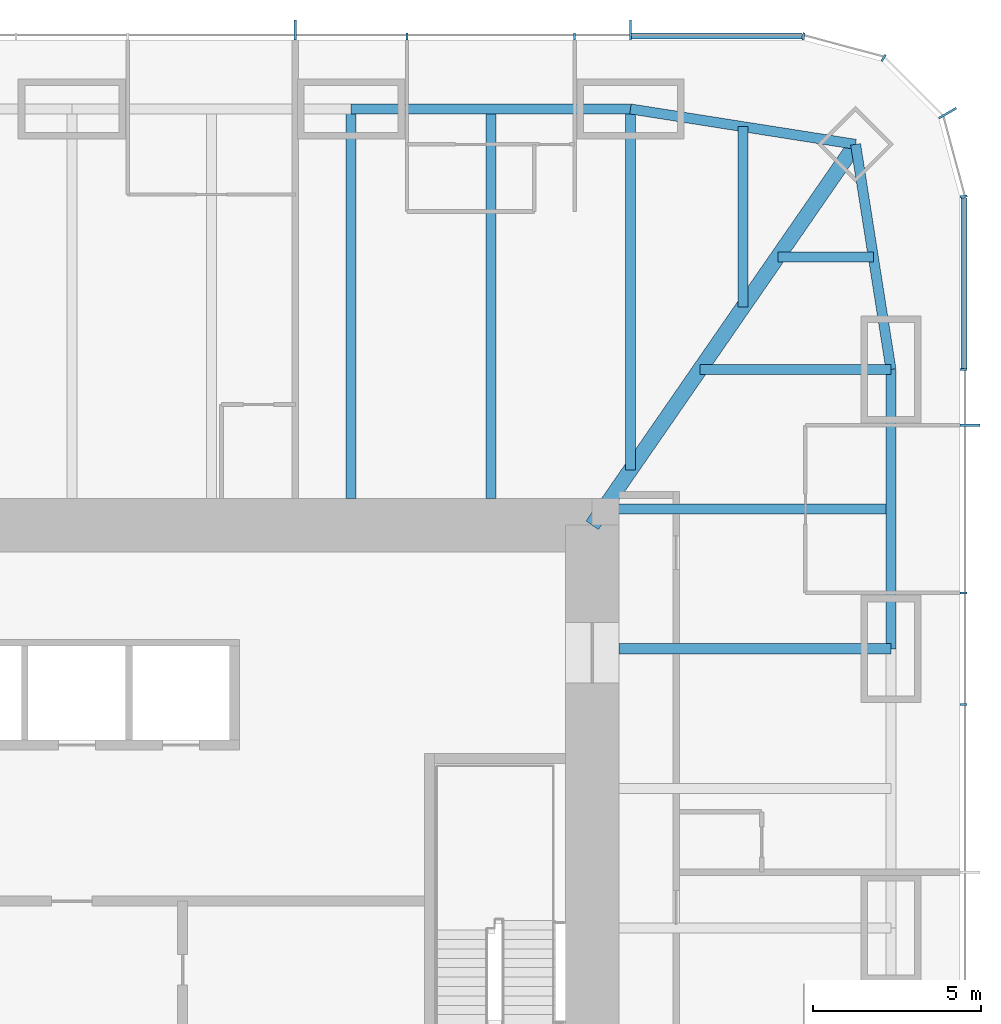
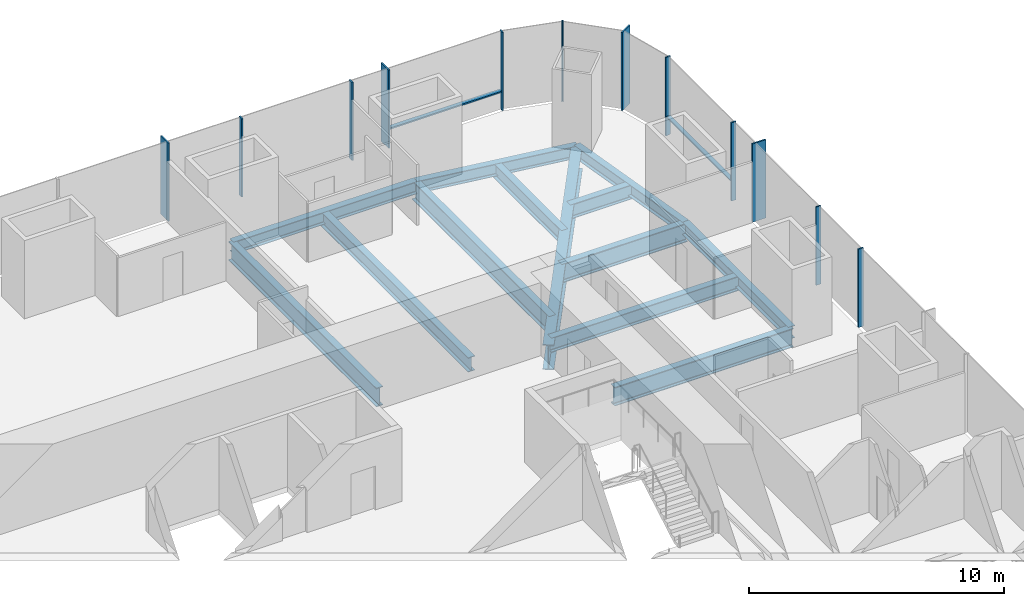
# One storey, part 6 of 12: 14 members, 13 beams, 3 elements without a shape of their own.
"""IFC4 building model written with IfcOpenShell, lengths in metres."""

from ifc_helpers import new_model, si_unit, direction, frame, origin, origin_2d, place, context, subcontext, project, spatial, rectangle, i_section, extrude, material, material_profile, profile_set, type_object, element, aggregate, save


model = new_model("IFC4")

# Units and contexts
model_context = context("Model", 3, precision=1e-05, world=origin(), true_north=direction((0.0, 1.0)))
body_context = subcontext(model_context, "Body", "Model", "MODEL_VIEW")
ifc_project = project(units=[si_unit("LENGTHUNIT", "METRE"), si_unit("AREAUNIT", "SQUARE_METRE"), si_unit("VOLUMEUNIT", "CUBIC_METRE"), si_unit("PLANEANGLEUNIT", "RADIAN"), si_unit("MASSUNIT", "GRAM", prefix="KILO")], contexts=[model_context])

# Site, building, storey
site_placement = place(None, origin())
site = spatial("IfcSite", under=ifc_project, at=site_placement, CompositionType="ELEMENT")
building_placement = place(site_placement, origin())
building = spatial("IfcBuilding", under=site, at=building_placement, Name="Khuree Lantern Residences", CompositionType="ELEMENT")
storey_placement = place(building_placement, frame((0.0, 0.0, 207.0)))
storey = spatial("IfcBuildingStorey", under=building, at=storey_placement, Name="L51", CompositionType="ELEMENT", Elevation=207.0)

# Beams
ifc_material_1 = material(Name="Steel S355", Category="steel")
ifc_material_profile_1 = material_profile(ifc_material_1, i_section(OverallWidth=0.300048828125, OverallDepth=0.68994140625, WebThickness=0.014404296875, FlangeThickness=0.027099609375, FilletRadius=0.027099609375, at=origin_2d()), Name="HE 700 A")
ifc_profile_set_1 = profile_set([ifc_material_profile_1], Name="Steel S355")
beam_type_1 = type_object("IfcBeamType", Name="B-31 SECONDARY BEAM HE 700 A", PredefinedType="BEAM", material=ifc_profile_set_1)
beam_1_placement = place(storey_placement, frame((12.47998046875, 24.39990234375, -0.594970703125), z_axis=(0.0, -1.0, 0.0), x_axis=(1.0, 0.0, 0.0)))
element("IfcBeam", 1, at=beam_1_placement, inside=storey, type_object=beam_type_1, Name="Secondary beam N4", PredefinedType="BEAM", context=body_context, shape_type="SweptSolid", body=[
    extrude(i_section(OverallWidth=0.300048828125, OverallDepth=0.68994140625, WebThickness=0.014404296875, FlangeThickness=0.027099609375, FilletRadius=0.027099609375, at=origin_2d()), origin(), (0.0, 0.0, 1.0), 11.599853515625),
])
beam_2_placement = place(storey_placement, frame((19.992919921875, 23.872802734375, -0.594970703125), z_axis=(0.0, -1.0, 0.0), x_axis=(1.0, 0.0, 0.0)))
element("IfcBeam", 2, at=beam_2_placement, inside=storey, type_object=beam_type_1, Name="Secondary beam N5", PredefinedType="BEAM", context=body_context, shape_type="SweptSolid", body=[
    extrude(i_section(OverallWidth=0.300048828125, OverallDepth=0.68994140625, WebThickness=0.014404296875, FlangeThickness=0.027099609375, FilletRadius=0.027099609375, at=origin_2d()), origin(), (0.0, 0.0, 1.0), 5.375732421875),
])
beam_3_placement = place(storey_placement, frame((23.872802734375, 19.992919921875, -0.594970703125), z_axis=(-1.0, 0.0, 0.0), x_axis=(0.0, -1.0, 0.0)))
element("IfcBeam", 3, at=beam_3_placement, inside=storey, type_object=beam_type_1, Name="Secondary beam E1", PredefinedType="BEAM", context=body_context, shape_type="SweptSolid", body=[
    extrude(i_section(OverallWidth=0.300048828125, OverallDepth=0.68994140625, WebThickness=0.014404296875, FlangeThickness=0.027099609375, FilletRadius=0.027099609375, at=origin_2d()), origin(), (0.0, 0.0, 1.0), 2.845703125),
])
beam_4_placement = place(storey_placement, frame((24.39990234375, 12.47998046875, -0.594970703125), z_axis=(-1.0, 0.0, 0.0), x_axis=(0.0, -1.0, 0.0)))
element("IfcBeam", 4, at=beam_4_placement, inside=storey, type_object=beam_type_1, Name="Secondary beam E2", PredefinedType="BEAM", context=body_context, shape_type="SweptSolid", body=[
    extrude(i_section(OverallWidth=0.300048828125, OverallDepth=0.68994140625, WebThickness=0.014404296875, FlangeThickness=0.027099609375, FilletRadius=0.027099609375, at=origin_2d()), origin(), (0.0, 0.0, 1.0), 8.56787109375),
])
ifc_material_profile_2 = material_profile(ifc_material_1, i_section(OverallWidth=0.300048828125, OverallDepth=0.590087890625, WebThickness=0.012939453125, FlangeThickness=0.02490234375, FilletRadius=0.027099609375, at=origin_2d()), Name="HE 600 A")
ifc_profile_set_2 = profile_set([ifc_material_profile_2], Name="Steel S355")
beam_type_2 = type_object("IfcBeamType", Name="E-31 SPANDREL BEAM HE 600 A", PredefinedType="SPANDREL", material=ifc_profile_set_2)
beam_5_placement = place(storey_placement, frame((8.320068359375, 24.39990234375, -0.544921875), z_axis=(1.0, 0.0, 0.0), x_axis=(0.0, 1.0, 0.0)))
element("IfcBeam", 5, at=beam_5_placement, inside=storey, type_object=beam_type_2, Name="Spandrel beam N4", PredefinedType="SPANDREL", context=body_context, shape_type="SweptSolid", body=[
    extrude(i_section(OverallWidth=0.300048828125, OverallDepth=0.590087890625, WebThickness=0.012939453125, FlangeThickness=0.02490234375, FilletRadius=0.027099609375, at=origin_2d()), origin(), (0.0, 0.0, 1.0), 8.31982421875),
])
for number, where, z_axis, x_axis, name in (
    (6, (16.639892578125, 24.39990234375, -0.544921875), (0.98786743189, -0.155299507442, 0.0), (0.155299507442, 0.98786743189, 0.0), "Spandrel beam N5"),
    (7, (23.345703125, 23.345703125, -0.544921875), (0.155299507442, -0.98786743189, 0.0), (0.98786743189, 0.155299507442, 0.0), "Spandrel beam E1"),
):
    element("IfcBeam", number, at=place(storey_placement, frame(where, z_axis=z_axis, x_axis=x_axis)), inside=storey, type_object=beam_type_2, Name=name, PredefinedType="SPANDREL", context=body_context, shape_type="SweptSolid", body=[
        extrude(i_section(OverallWidth=0.300048828125, OverallDepth=0.590087890625, WebThickness=0.012939453125, FlangeThickness=0.02490234375, FilletRadius=0.027099609375, at=origin_2d()), origin(), (0.0, 0.0, 1.0), 6.7880859375),
    ])
beam_6_placement = place(storey_placement, frame((24.39990234375, 16.639892578125, -0.544921875), z_axis=(0.0, -1.0, 0.0), x_axis=(1.0, 0.0, 0.0)))
element("IfcBeam", 8, at=beam_6_placement, inside=storey, type_object=beam_type_2, Name="Spandrel beam E2", PredefinedType="SPANDREL", context=body_context, shape_type="SweptSolid", body=[
    extrude(i_section(OverallWidth=0.300048828125, OverallDepth=0.590087890625, WebThickness=0.012939453125, FlangeThickness=0.02490234375, FilletRadius=0.027099609375, at=origin_2d()), origin(), (0.0, 0.0, 1.0), 8.31982421875),
])

# Curtain wall, member
ifc_material_2 = material(Name="Bronze anodised aluminium", Category="aluminium")
curtain_wall_type_1 = type_object("IfcCurtainWallType", Name="CW-T1 TOWER FACE CURTAIN WALL", PredefinedType="USERDEFINED", material=ifc_material_2)
curtain_wall_1_placement = place(storey_placement, origin())
curtain_wall_1 = element("IfcCurtainWall", 9, at=curtain_wall_1_placement, inside=storey, type_object=curtain_wall_type_1, Name="L51 EAST FACE CURTAIN WALL", ObjectType="Stick-built curtain wall", PredefinedType="USERDEFINED")
ifc_material_profile_3 = material_profile(ifc_material_2, rectangle(XDim=0.06494140625, YDim=0.60009765625, at=origin_2d()), Name="F1 65X600")
ifc_profile_set_3 = profile_set([ifc_material_profile_3], Name="Bronze anodised aluminium")
member_type_1 = type_object("IfcMemberType", Name="F1 BRONZE FIN MULLION TOWER 65X600", PredefinedType="MULLION", material=ifc_profile_set_3)
member_1_placement = place(storey_placement, frame((26.75, 14.97607421875, 0.0), z_axis=(0.0, 0.0, 1.0), x_axis=(0.0, 1.0, 0.0)))
member_1 = element("IfcMember", 10, at=member_1_placement, type_object=member_type_1, Name="L51 EAST FACE FIN MULLION 13", PredefinedType="MULLION", context=body_context, shape_type="SweptSolid", body=[
    extrude(rectangle(XDim=0.06494140625, YDim=0.60009765625, at=origin_2d()), origin(), (0.0, 0.0, 1.0), 3.75),
])

curtain_wall_type_2 = type_object("IfcCurtainWallType", Name="CW-T2 TOWER CORNER CURTAIN WALL", PredefinedType="USERDEFINED", material=ifc_material_2)
curtain_wall_2_placement = place(storey_placement, origin())
curtain_wall_2 = element("IfcCurtainWall", 11, at=curtain_wall_2_placement, inside=storey, type_object=curtain_wall_type_2, Name="L51 NORTH-EAST CORNER CURTAIN WALL", ObjectType="Faceted corner curtain wall", PredefinedType="USERDEFINED")
member_2_placement = place(storey_placement, frame((26.0869140625, 24.27490234375, 0.0), z_axis=(0.0, 0.0, 1.0), x_axis=(-0.499999989586, 0.866025409797, 0.0)))
member_2 = element("IfcMember", 12, at=member_2_placement, type_object=member_type_1, Name="L51 NORTH-EAST CORNER FIN MULLION 16", PredefinedType="MULLION", context=body_context, shape_type="SweptSolid", body=[
    extrude(rectangle(XDim=0.06494140625, YDim=0.60009765625, at=origin_2d()), origin(), (0.0, 0.0, 1.0), 3.75),
])

# Curtain wall, members
curtain_wall_3_placement = place(storey_placement, origin())
curtain_wall_3 = element("IfcCurtainWall", 13, at=curtain_wall_3_placement, inside=storey, type_object=curtain_wall_type_1, Name="L51 NORTH FACE CURTAIN WALL", ObjectType="Stick-built curtain wall", PredefinedType="USERDEFINED")
member_3_placement = place(storey_placement, frame((16.639892578125, 26.75, 0.0), z_axis=(0.0, 0.0, 1.0), x_axis=(-1.0, 0.0, 0.0)))
member_3 = element("IfcMember", 14, at=member_3_placement, type_object=member_type_1, Name="L51 NORTH FACE FIN MULLION 19", PredefinedType="MULLION", context=body_context, shape_type="SweptSolid", body=[
    extrude(rectangle(XDim=0.06494140625, YDim=0.60009765625, at=origin_2d()), origin(), (0.0, 0.0, 1.0), 3.75),
])
member_4_placement = place(storey_placement, frame((6.656005859375, 26.75, 0.0), z_axis=(0.0, 0.0, 1.0), x_axis=(-1.0, 0.0, 0.0)))
member_4 = element("IfcMember", 15, at=member_4_placement, type_object=member_type_1, Name="L51 NORTH FACE FIN MULLION 22", PredefinedType="MULLION", context=body_context, shape_type="SweptSolid", body=[
    extrude(rectangle(XDim=0.06494140625, YDim=0.60009765625, at=origin_2d()), origin(), (0.0, 0.0, 1.0), 3.75),
])

# Beams
ifc_material_profile_4 = material_profile(ifc_material_1, i_section(OverallWidth=0.300048828125, OverallDepth=0.89990234375, WebThickness=0.0185546875, FlangeThickness=0.034912109375, FilletRadius=0.030029296875, at=origin_2d()), Name="HE 900 B")
ifc_profile_set_4 = profile_set([ifc_material_profile_4], Name="Steel S355")
beam_type_3 = type_object("IfcBeamType", Name="G-31A GIRDER HE 900 B", PredefinedType="BEAM", material=ifc_profile_set_4)
beam_7_placement = place(storey_placement, frame((8.320068359375, 24.39990234375, -0.699951171875), z_axis=(0.0, -1.0, 0.0), x_axis=(1.0, 0.0, 0.0)))
element("IfcBeam", 16, at=beam_7_placement, inside=storey, type_object=beam_type_3, Name="Girder N4", PredefinedType="BEAM", context=body_context, shape_type="SweptSolid", body=[
    extrude(i_section(OverallWidth=0.300048828125, OverallDepth=0.89990234375, WebThickness=0.0185546875, FlangeThickness=0.034912109375, FilletRadius=0.030029296875, at=origin_2d()), origin(), (0.0, 0.0, 1.0), 11.599853515625),
])
beam_8_placement = place(storey_placement, frame((16.639892578125, 24.39990234375, -0.699951171875), z_axis=(0.0, -1.0, 0.0), x_axis=(1.0, 0.0, 0.0)))
element("IfcBeam", 17, at=beam_8_placement, inside=storey, type_object=beam_type_3, Name="Girder N5", PredefinedType="BEAM", context=body_context, shape_type="SweptSolid", body=[
    extrude(i_section(OverallWidth=0.300048828125, OverallDepth=0.89990234375, WebThickness=0.0185546875, FlangeThickness=0.034912109375, FilletRadius=0.030029296875, at=origin_2d()), origin(), (0.0, 0.0, 1.0), 10.751220703125),
])
beam_9_placement = place(storey_placement, frame((24.39990234375, 16.639892578125, -0.699951171875), z_axis=(-1.0, 0.0, 0.0), x_axis=(0.0, -1.0, 0.0)))
element("IfcBeam", 18, at=beam_9_placement, inside=storey, type_object=beam_type_3, Name="Girder E1", PredefinedType="BEAM", context=body_context, shape_type="SweptSolid", body=[
    extrude(i_section(OverallWidth=0.300048828125, OverallDepth=0.89990234375, WebThickness=0.0185546875, FlangeThickness=0.034912109375, FilletRadius=0.030029296875, at=origin_2d()), origin(), (0.0, 0.0, 1.0), 5.69140625),
])
beam_10_placement = place(storey_placement, frame((24.39990234375, 8.320068359375, -0.699951171875), z_axis=(-1.0, 0.0, 0.0), x_axis=(0.0, -1.0, 0.0)))
element("IfcBeam", 19, at=beam_10_placement, inside=storey, type_object=beam_type_3, Name="Girder E2", PredefinedType="BEAM", context=body_context, shape_type="SweptSolid", body=[
    extrude(i_section(OverallWidth=0.300048828125, OverallDepth=0.89990234375, WebThickness=0.0185546875, FlangeThickness=0.034912109375, FilletRadius=0.030029296875, at=origin_2d()), origin(), (0.0, 0.0, 1.0), 8.099853515625),
])
ifc_material_profile_5 = material_profile(ifc_material_1, i_section(OverallWidth=0.449951171875, OverallDepth=1.199951171875, WebThickness=0.02490234375, FlangeThickness=0.044921875, at=origin_2d()), Name="WELDED I 1200X450X25X45")
ifc_profile_set_5 = profile_set([ifc_material_profile_5], Name="Steel S355")
beam_type_4 = type_object("IfcBeamType", Name="GD-31 CORNER GIRDER WELDED I 1200X450X25X45", PredefinedType="BEAM", material=ifc_profile_set_5)
beam_11_placement = place(storey_placement, frame((23.345703125, 23.345703125, -0.85009765625), z_axis=(-0.56876813501, -0.822497907959, 0.0), x_axis=(0.822497907959, -0.56876813501, 0.0)))
element("IfcBeam", 20, at=beam_11_placement, inside=storey, type_object=beam_type_4, Name="Corner girder NE", PredefinedType="BEAM", context=body_context, shape_type="SweptSolid", body=[
    extrude(i_section(OverallWidth=0.449951171875, OverallDepth=1.199951171875, WebThickness=0.02490234375, FlangeThickness=0.044921875, at=origin_2d()), origin(), (0.0, 0.0, 1.0), 13.794189453125),
])

# Member
ifc_material_profile_6 = material_profile(ifc_material_2, rectangle(XDim=0.06494140625, YDim=0.219970703125, at=origin_2d()), Name="M1 65X220")
ifc_profile_set_6 = profile_set([ifc_material_profile_6], Name="Bronze anodised aluminium")
member_type_2 = type_object("IfcMemberType", Name="M1 BRONZE MULLION TOWER 65X220", PredefinedType="MULLION", material=ifc_profile_set_6)
member_5_placement = place(storey_placement, frame((26.56005859375, 6.656005859375, 0.0), z_axis=(0.0, 0.0, 1.0), x_axis=(0.0, 1.0, 0.0)))
member_5 = element("IfcMember", 21, at=member_5_placement, type_object=member_type_2, Name="L51 EAST FACE MULLION 11", PredefinedType="MULLION", context=body_context, shape_type="SweptSolid", body=[
    extrude(rectangle(XDim=0.06494140625, YDim=0.219970703125, at=origin_2d()), origin(), (0.0, 0.0, 1.0), 3.75),
])

member_6_placement = place(storey_placement, frame((26.56005859375, 9.98388671875, 0.0), z_axis=(0.0, 0.0, 1.0), x_axis=(0.0, 1.0, 0.0)))
member_6 = element("IfcMember", 22, at=member_6_placement, type_object=member_type_2, Name="L51 EAST FACE MULLION 12", PredefinedType="MULLION", context=body_context, shape_type="SweptSolid", body=[
    extrude(rectangle(XDim=0.06494140625, YDim=0.219970703125, at=origin_2d()), origin(), (0.0, 0.0, 1.0), 3.75),
])

member_7_placement = place(storey_placement, frame((26.56005859375, 16.639892578125, 0.0), z_axis=(0.0, 0.0, 1.0), x_axis=(0.0, 1.0, 0.0)))
member_7 = element("IfcMember", 23, at=member_7_placement, type_object=member_type_2, Name="L51 EAST FACE MULLION 14", PredefinedType="MULLION", context=body_context, shape_type="SweptSolid", body=[
    extrude(rectangle(XDim=0.06494140625, YDim=0.219970703125, at=origin_2d()), origin(), (0.0, 0.0, 1.0), 3.75),
])

member_8_placement = place(storey_placement, frame((26.561767578125, 21.794921875, 0.0), z_axis=(0.0, 0.0, 1.0), x_axis=(-0.130526180298, 0.991444862943, 0.0)))
member_8 = element("IfcMember", 24, at=member_8_placement, type_object=member_type_2, Name="L51 NORTH-EAST CORNER MULLION 15", PredefinedType="MULLION", context=body_context, shape_type="SweptSolid", body=[
    extrude(rectangle(XDim=0.06494140625, YDim=0.219970703125, at=origin_2d()), origin(), (0.0, 0.0, 1.0), 3.75),
])

member_9_placement = place(storey_placement, frame((24.179931640625, 25.92236328125, 0.0), z_axis=(0.0, 0.0, 1.0), x_axis=(-0.866025409797, 0.499999989586, 0.0)))
member_9 = element("IfcMember", 25, at=member_9_placement, type_object=member_type_2, Name="L51 NORTH-EAST CORNER MULLION 17", PredefinedType="MULLION", context=body_context, shape_type="SweptSolid", body=[
    extrude(rectangle(XDim=0.06494140625, YDim=0.219970703125, at=origin_2d()), origin(), (0.0, 0.0, 1.0), 3.75),
])

aggregate(curtain_wall_2, [member_8, member_2, member_9])

member_10_placement = place(storey_placement, frame((21.794921875, 26.561767578125, 0.0), z_axis=(0.0, 0.0, 1.0), x_axis=(-0.991444862943, 0.130526180298, 0.0)))
member_10 = element("IfcMember", 26, at=member_10_placement, type_object=member_type_2, Name="L51 NORTH FACE MULLION 18", PredefinedType="MULLION", context=body_context, shape_type="SweptSolid", body=[
    extrude(rectangle(XDim=0.06494140625, YDim=0.219970703125, at=origin_2d()), origin(), (0.0, 0.0, 1.0), 3.75),
])

member_11_placement = place(storey_placement, frame((14.97607421875, 26.56005859375, 0.0), z_axis=(0.0, 0.0, 1.0), x_axis=(-1.0, 0.0, 0.0)))
member_11 = element("IfcMember", 27, at=member_11_placement, type_object=member_type_2, Name="L51 NORTH FACE MULLION 20", PredefinedType="MULLION", context=body_context, shape_type="SweptSolid", body=[
    extrude(rectangle(XDim=0.06494140625, YDim=0.219970703125, at=origin_2d()), origin(), (0.0, 0.0, 1.0), 3.75),
])

member_12_placement = place(storey_placement, frame((9.98388671875, 26.56005859375, 0.0), z_axis=(0.0, 0.0, 1.0), x_axis=(-1.0, 0.0, 0.0)))
member_12 = element("IfcMember", 28, at=member_12_placement, type_object=member_type_2, Name="L51 NORTH FACE MULLION 21", PredefinedType="MULLION", context=body_context, shape_type="SweptSolid", body=[
    extrude(rectangle(XDim=0.06494140625, YDim=0.219970703125, at=origin_2d()), origin(), (0.0, 0.0, 1.0), 3.75),
])

ifc_material_profile_7 = material_profile(ifc_material_2, rectangle(XDim=0.179931640625, YDim=0.06494140625, at=origin_2d()), Name="T1 180X65")
ifc_profile_set_7 = profile_set([ifc_material_profile_7], Name="Bronze anodised aluminium")
member_type_3 = type_object("IfcMemberType", Name="TRANSOM T1 TOWER 180X65", PredefinedType="USERDEFINED", material=ifc_profile_set_7)
member_13_placement = place(storey_placement, frame((26.570068359375, 16.672607421875, 0.89990234375), z_axis=(0.0, 1.0, 0.0), x_axis=(-1.0, 0.0, 0.0)))
member_13 = element("IfcMember", 29, at=member_13_placement, type_object=member_type_3, Name="L51 EAST FACE TRANSOM 14.1", ObjectType="Transom", PredefinedType="USERDEFINED", context=body_context, shape_type="SweptSolid", body=[
    extrude(rectangle(XDim=0.179931640625, YDim=0.06494140625, at=origin_2d()), origin(), (0.0, 0.0, 1.0), 5.078857421875),
])

aggregate(curtain_wall_1, [member_5, member_6, member_1, member_7, member_13])

member_14_placement = place(storey_placement, frame((21.75146484375, 26.570068359375, 0.89990234375), z_axis=(-1.0, 0.0, 0.0), x_axis=(0.0, -1.0, 0.0)))
member_14 = element("IfcMember", 30, at=member_14_placement, type_object=member_type_3, Name="L51 NORTH FACE TRANSOM 18.1", ObjectType="Transom", PredefinedType="USERDEFINED", context=body_context, shape_type="SweptSolid", body=[
    extrude(rectangle(XDim=0.179931640625, YDim=0.06494140625, at=origin_2d()), origin(), (0.0, 0.0, 1.0), 5.078857421875),
])

aggregate(curtain_wall_3, [member_10, member_3, member_11, member_12, member_4, member_14])

save(model, "model.ifc")
